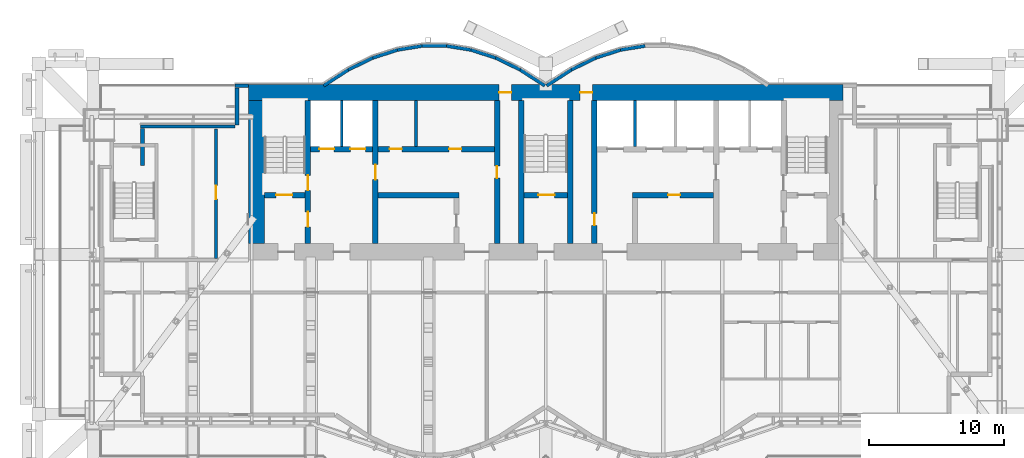
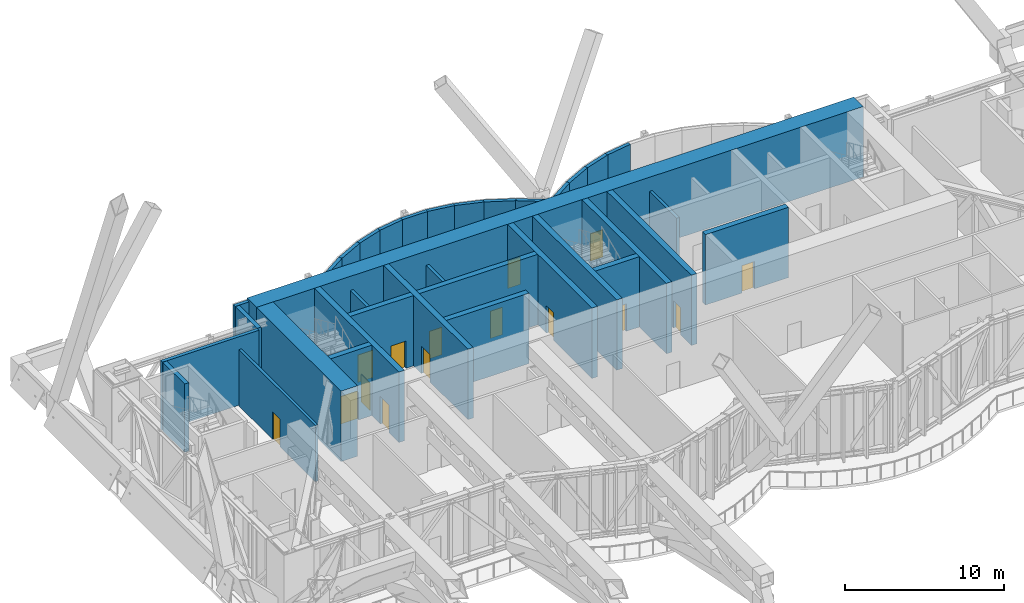
# One storey, part 25 of 30: 34 walls, 15 doors, 15 openings.
"""IFC4 building model written with IfcOpenShell, lengths in metres."""

from ifc_helpers import new_model, si_unit, direction, frame, frame_2d, origin, place, context, subcontext, project, spatial, rectangle, extrude, material, layer, layer_set, layer_usage, type_object, element, fill, save


model = new_model("IFC4")

# Units and contexts
model_context = context("Model", 3, precision=1e-05, world=origin(), true_north=direction((0.0, 1.0)))
body_context = subcontext(model_context, "Body", "Model", "MODEL_VIEW")
ifc_project = project(units=[si_unit("LENGTHUNIT", "METRE"), si_unit("AREAUNIT", "SQUARE_METRE"), si_unit("VOLUMEUNIT", "CUBIC_METRE"), si_unit("PLANEANGLEUNIT", "RADIAN"), si_unit("MASSUNIT", "GRAM", prefix="KILO")], contexts=[model_context])

# Site, building, storey
site_placement = place(None, origin())
site = spatial("IfcSite", under=ifc_project, at=site_placement, CompositionType="ELEMENT")
building_placement = place(site_placement, origin())
building = spatial("IfcBuilding", under=site, at=building_placement, Name="Bicima Exchange Tower", CompositionType="ELEMENT")
storey_placement = place(building_placement, frame((0.0, 0.0, 287.60009765625)))
storey = spatial("IfcBuildingStorey", under=building, at=storey_placement, Name="L65", CompositionType="ELEMENT", Elevation=287.60009765625)

# Walls
ifc_material_1 = material(Name="Gypsum board partition")
ifc_layer_1 = layer(ifc_material_1, 0.199951171875)
ifc_layer_set_1 = layer_set([ifc_layer_1], Name="Gypsum board partition")
wall_type_1 = type_object("IfcWallType", Name="Fire-rated gypsum partition 200 EI120", PredefinedType="PARTITIONING", material=ifc_layer_set_1)
for number, where, z_axis, x_axis, name in (
    (1, (-15.10009765625, -4.60009765625, 0.0), (0.0, 0.0, 1.0), (0.0, 1.0, 0.0), "partition wall 9"),
    (2, (6.60009765625, -4.60009765625, 0.0), (0.0, 0.0, 1.0), (0.0, 1.0, 0.0), "partition wall 18"),
):
    element("IfcWall", number, at=place(storey_placement, frame(where, z_axis=z_axis, x_axis=x_axis)), inside=storey, type_object=wall_type_1, Name=name, PredefinedType="PARTITIONING", context=body_context, shape_type="SweptSolid", body=[
        extrude(rectangle(XDim=3.400146484375, YDim=0.199951171875, at=frame_2d((1.7001953125, 0.0))), origin(), (0.0, 0.0, 1.0), 4.318115234375),
    ])

# Wall, opening, door
ifc_layer_2 = layer(ifc_material_1, 0.199951171875)
ifc_layer_set_2 = layer_set([ifc_layer_2], Name="Gypsum board partition")
wall_type_2 = type_object("IfcWallType", Name="Fire-rated gypsum partition 200 EI60", PredefinedType="PARTITIONING", material=ifc_layer_set_2)
wall_1_placement = place(storey_placement, frame((-24.39990234375, -12.89990234375, 0.0), z_axis=(0.0, 0.0, 1.0), x_axis=(0.0, 1.0, 0.0)))
wall_1 = element("IfcWall", 3, at=wall_1_placement, inside=storey, type_object=wall_type_2, Name="partition wall 15", PredefinedType="PARTITIONING", context=body_context, shape_type="SweptSolid", body=[
    extrude(rectangle(XDim=9.599853515625, YDim=0.199951171875, at=frame_2d((4.7998046875, 0.0))), origin(), (0.0, 0.0, 1.0), 4.318115234375),
])
opening_1_placement = place(wall_1_placement, frame((4.39990234375, 0.0, 0.0)))
opening_1 = element("IfcOpeningElement", 4, at=opening_1_placement, cuts=wall_1, Name="Opening L65-005", PredefinedType="OPENING", context=body_context, shape_type="SweptSolid", body=[
    extrude(rectangle(XDim=1.0, YDim=2.10009765625, at=frame_2d((0.5, 1.050048828125))), frame((0.0, 0.11181640625, 0.0), z_axis=(0.0, -1.0, 0.0), x_axis=(1.0, 0.0, 0.0)), (0.0, 0.0, 1.0), 0.223876953125),
])
ifc_material_2 = material(Name="Steel fire door leaf", Category="steel")
door_type_1 = type_object("IfcDoorType", Name="Door 1000 swing FD30S", OperationType="SINGLE_SWING_LEFT", PredefinedType="DOOR", material=ifc_material_2)
door_1_placement = place(opening_1_placement, origin())
door_1 = element("IfcDoor", 5, at=door_1_placement, inside=storey, type_object=door_type_1, Name="Door", OperationType="SINGLE_SWING_LEFT", OverallHeight=2.10009765625, OverallWidth=1.0, PredefinedType="DOOR", context=body_context, shape_type="SweptSolid", body=[
    extrude(rectangle(XDim=1.0, YDim=2.10009765625, at=frame_2d((0.5, 1.050048828125))), frame((0.0, 0.02490234375, 0.0), z_axis=(0.0, -1.0, 0.0), x_axis=(1.0, 0.0, 0.0)), (0.0, 0.0, 1.0), 0.050048828125),
])
fill(opening_1, door_1)

# Wall
wall_2_placement = place(storey_placement, frame((-9.60009765625, -4.60009765625, 0.0), z_axis=(0.0, 0.0, 1.0), x_axis=(0.0, 1.0, 0.0)))
element("IfcWall", 6, at=wall_2_placement, inside=storey, type_object=wall_type_2, Name="partition wall 11", PredefinedType="PARTITIONING", context=body_context, shape_type="SweptSolid", body=[
    extrude(rectangle(XDim=3.400146484375, YDim=0.199951171875, at=frame_2d((1.7001953125, 0.0))), origin(), (0.0, 0.0, 1.0), 4.318115234375),
])

# Wall, openings, doors
ifc_material_3 = material(Name="Concrete C40/50", Category="concrete")
ifc_layer_3 = layer(ifc_material_3, 1.199951171875)
ifc_layer_set_3 = layer_set([ifc_layer_3], Name="Concrete C40/50")
wall_type_3 = type_object("IfcWallType", Name="RC core wall 1200 C40/50", PredefinedType="SHEAR", material=ifc_layer_set_3)
wall_3_placement = place(storey_placement, frame((-22.0, -0.60009765625, 0.0), z_axis=(0.0, 0.0, 1.0), x_axis=(1.0, 0.0, 0.0)))
wall_3 = element("IfcWall", 7, at=wall_3_placement, inside=storey, type_object=wall_type_3, Name="Core wall north", PredefinedType="SHEAR", context=body_context, shape_type="SweptSolid", body=[
    extrude(rectangle(XDim=44.0, YDim=1.199951171875, at=frame_2d((22.0, 0.0))), origin(), (0.0, 0.0, 1.0), 5.39990234375),
])
opening_2_placement = place(wall_3_placement, frame((18.550048828125, 0.0, 0.0)))
opening_2 = element("IfcOpeningElement", 8, at=opening_2_placement, cuts=wall_3, Name="Opening L65-C16", PredefinedType="OPENING", context=body_context, shape_type="SweptSolid", body=[
    extrude(rectangle(XDim=0.89990234375, YDim=2.10009765625, at=frame_2d((0.449951171875, 1.050048828125))), frame((0.0, 0.61181640625, 0.0), z_axis=(0.0, -1.0, 0.0), x_axis=(1.0, 0.0, 0.0)), (0.0, 0.0, 1.0), 1.223876953125),
])
opening_3_placement = place(wall_3_placement, frame((24.550048828125, 0.0, 0.0)))
opening_3 = element("IfcOpeningElement", 9, at=opening_3_placement, cuts=wall_3, Name="Opening L65-C17", PredefinedType="OPENING", context=body_context, shape_type="SweptSolid", body=[
    extrude(rectangle(XDim=0.89990234375, YDim=2.10009765625, at=frame_2d((0.449951171875, 1.050048828125))), frame((0.0, 0.61181640625, 0.0), z_axis=(0.0, -1.0, 0.0), x_axis=(1.0, 0.0, 0.0)), (0.0, 0.0, 1.0), 1.223876953125),
])
door_type_2 = type_object("IfcDoorType", Name="Door 900 swing FD30S", OperationType="SINGLE_SWING_LEFT", PredefinedType="DOOR", material=ifc_material_2)
door_2_placement = place(opening_2_placement, origin())
door_2 = element("IfcDoor", 10, at=door_2_placement, inside=storey, type_object=door_type_2, Name="Core door", OperationType="SINGLE_SWING_LEFT", OverallHeight=2.10009765625, OverallWidth=0.89990234375, PredefinedType="DOOR", context=body_context, shape_type="SweptSolid", body=[
    extrude(rectangle(XDim=0.89990234375, YDim=2.10009765625, at=frame_2d((0.449951171875, 1.050048828125))), frame((0.0, 0.02490234375, 0.0), z_axis=(0.0, -1.0, 0.0), x_axis=(1.0, 0.0, 0.0)), (0.0, 0.0, 1.0), 0.050048828125),
])
fill(opening_2, door_2)
door_3_placement = place(opening_3_placement, origin())
door_3 = element("IfcDoor", 11, at=door_3_placement, inside=storey, type_object=door_type_2, Name="Core door", OperationType="SINGLE_SWING_LEFT", OverallHeight=2.10009765625, OverallWidth=0.89990234375, PredefinedType="DOOR", context=body_context, shape_type="SweptSolid", body=[
    extrude(rectangle(XDim=0.89990234375, YDim=2.10009765625, at=frame_2d((0.449951171875, 1.050048828125))), frame((0.0, 0.02490234375, 0.0), z_axis=(0.0, -1.0, 0.0), x_axis=(1.0, 0.0, 0.0)), (0.0, 0.0, 1.0), 0.050048828125),
])
fill(opening_3, door_3)

# Walls
wall_4_placement = place(storey_placement, frame((-21.39990234375, -11.800048828125, 0.0), z_axis=(0.0, 0.0, 1.0), x_axis=(0.0, 1.0, 0.0)))
element("IfcWall", 12, at=wall_4_placement, inside=storey, type_object=wall_type_3, Name="Core wall west", PredefinedType="SHEAR", context=body_context, shape_type="SweptSolid", body=[
    extrude(rectangle(XDim=10.60009765625, YDim=1.199951171875, at=frame_2d((5.300048828125, 0.0))), origin(), (0.0, 0.0, 1.0), 5.39990234375),
])
ifc_layer_4 = layer(ifc_material_3, 0.39990234375)
ifc_layer_set_4 = layer_set([ifc_layer_4], Name="Concrete C40/50")
wall_type_4 = type_object("IfcWallType", Name="RC core wall 400 C40/50", PredefinedType="SHEAR", material=ifc_layer_set_4)
wall_5_placement = place(storey_placement, frame((-12.39990234375, -8.199951171875, 0.0), z_axis=(0.0, 0.0, 1.0), x_axis=(1.0, 0.0, 0.0)))
element("IfcWall", 13, at=wall_5_placement, inside=storey, type_object=wall_type_4, Name="shear wall 2", PredefinedType="SHEAR", context=body_context, shape_type="SweptSolid", body=[
    extrude(rectangle(XDim=6.0, YDim=0.39990234375, at=frame_2d((3.0, 0.0))), origin(), (0.0, 0.0, 1.0), 5.39990234375),
])

# Wall, opening, door
wall_6_placement = place(storey_placement, frame((6.39990234375, -8.199951171875, 0.0), z_axis=(0.0, 0.0, 1.0), x_axis=(1.0, 0.0, 0.0)))
wall_6 = element("IfcWall", 14, at=wall_6_placement, inside=storey, type_object=wall_type_4, Name="shear wall 4", PredefinedType="SHEAR", context=body_context, shape_type="SweptSolid", body=[
    extrude(rectangle(XDim=6.0, YDim=0.39990234375, at=frame_2d((3.0, 0.0))), origin(), (0.0, 0.0, 1.0), 5.39990234375),
])
opening_4_placement = place(wall_6_placement, frame((2.64990234375, 0.0, 0.0)))
opening_4 = element("IfcOpeningElement", 15, at=opening_4_placement, cuts=wall_6, Name="Opening L65-C15", PredefinedType="OPENING", context=body_context, shape_type="SweptSolid", body=[
    extrude(rectangle(XDim=0.89990234375, YDim=2.10009765625, at=frame_2d((0.449951171875, 1.050048828125))), frame((0.0, 0.2119140625, 0.0), z_axis=(0.0, -1.0, 0.0), x_axis=(1.0, 0.0, 0.0)), (0.0, 0.0, 1.0), 0.423828125),
])
door_4_placement = place(opening_4_placement, frame((0.89990234375, 0.0, 0.0), z_axis=(0.0, 0.0, 1.0), x_axis=(-1.0, 0.0, 0.0)))
door_4 = element("IfcDoor", 16, at=door_4_placement, inside=storey, type_object=door_type_2, Name="Core door", OperationType="SINGLE_SWING_RIGHT", OverallHeight=2.10009765625, OverallWidth=0.89990234375, PredefinedType="DOOR", context=body_context, shape_type="SweptSolid", body=[
    extrude(rectangle(XDim=0.89990234375, YDim=2.10009765625, at=frame_2d((0.449951171875, 1.050048828125))), frame((0.0, 0.02490234375, 0.0), z_axis=(0.0, -1.0, 0.0), x_axis=(1.0, 0.0, 0.0)), (0.0, 0.0, 1.0), 0.050048828125),
])
fill(opening_4, door_4)

# Wall, openings, doors
wall_7_placement = place(storey_placement, frame((-17.39990234375, -4.800048828125, 0.0), z_axis=(0.0, 0.0, 1.0), x_axis=(1.0, 0.0, 0.0)))
wall_7 = element("IfcWall", 17, at=wall_7_placement, inside=storey, type_object=wall_type_4, Name="shear wall 6", PredefinedType="SHEAR", context=body_context, shape_type="SweptSolid", body=[
    extrude(rectangle(XDim=13.599853515625, YDim=0.39990234375, at=frame_2d((6.7998046875, 0.0))), origin(), (0.0, 0.0, 1.0), 5.39990234375),
])
opening_5_placement = place(wall_7_placement, frame((0.64990234375, 0.0, 0.0)))
opening_5 = element("IfcOpeningElement", 18, at=opening_5_placement, cuts=wall_7, Name="Opening LD-FF1-L65", PredefinedType="OPENING", context=body_context, shape_type="SweptSolid", body=[
    extrude(rectangle(XDim=1.10009765625, YDim=2.10009765625, at=frame_2d((0.550048828125, 1.050048828125))), frame((0.0, 0.2119140625, 0.0), z_axis=(0.0, -1.0, 0.0), x_axis=(1.0, 0.0, 0.0)), (0.0, 0.0, 1.0), 0.423828125),
])
opening_6_placement = place(wall_7_placement, frame((2.949951171875, 0.0, 0.0)))
opening_6 = element("IfcOpeningElement", 19, at=opening_6_placement, cuts=wall_7, Name="Opening LD-FF3-L65", PredefinedType="OPENING", context=body_context, shape_type="SweptSolid", body=[
    extrude(rectangle(XDim=1.10009765625, YDim=2.10009765625, at=frame_2d((0.550048828125, 1.050048828125))), frame((0.0, 0.2119140625, 0.0), z_axis=(0.0, -1.0, 0.0), x_axis=(1.0, 0.0, 0.0)), (0.0, 0.0, 1.0), 0.423828125),
])
opening_7_placement = place(wall_7_placement, frame((5.85009765625, 0.0, 0.0)))
opening_7 = element("IfcOpeningElement", 20, at=opening_7_placement, cuts=wall_7, Name="Opening L65-C12", PredefinedType="OPENING", context=body_context, shape_type="SweptSolid", body=[
    extrude(rectangle(XDim=0.89990234375, YDim=2.10009765625, at=frame_2d((0.449951171875, 1.050048828125))), frame((0.0, 0.2119140625, 0.0), z_axis=(0.0, -1.0, 0.0), x_axis=(1.0, 0.0, 0.0)), (0.0, 0.0, 1.0), 0.423828125),
])
opening_8_placement = place(wall_7_placement, frame((10.25, 0.0, 0.0)))
opening_8 = element("IfcOpeningElement", 21, at=opening_8_placement, cuts=wall_7, Name="Opening L65-C13", PredefinedType="OPENING", context=body_context, shape_type="SweptSolid", body=[
    extrude(rectangle(XDim=0.89990234375, YDim=2.10009765625, at=frame_2d((0.449951171875, 1.050048828125))), frame((0.0, 0.2119140625, 0.0), z_axis=(0.0, -1.0, 0.0), x_axis=(1.0, 0.0, 0.0)), (0.0, 0.0, 1.0), 0.423828125),
])
door_5_placement = place(opening_7_placement, origin())
door_5 = element("IfcDoor", 22, at=door_5_placement, inside=storey, type_object=door_type_2, Name="Core door", OperationType="SINGLE_SWING_RIGHT", OverallHeight=2.10009765625, OverallWidth=0.89990234375, PredefinedType="DOOR", context=body_context, shape_type="SweptSolid", body=[
    extrude(rectangle(XDim=0.89990234375, YDim=2.10009765625, at=frame_2d((0.449951171875, 1.050048828125))), frame((0.0, 0.02490234375, 0.0), z_axis=(0.0, -1.0, 0.0), x_axis=(1.0, 0.0, 0.0)), (0.0, 0.0, 1.0), 0.050048828125),
])
fill(opening_7, door_5)
door_6_placement = place(opening_8_placement, origin())
door_6 = element("IfcDoor", 23, at=door_6_placement, inside=storey, type_object=door_type_2, Name="Core door", OperationType="SINGLE_SWING_LEFT", OverallHeight=2.10009765625, OverallWidth=0.89990234375, PredefinedType="DOOR", context=body_context, shape_type="SweptSolid", body=[
    extrude(rectangle(XDim=0.89990234375, YDim=2.10009765625, at=frame_2d((0.449951171875, 1.050048828125))), frame((0.0, 0.02490234375, 0.0), z_axis=(0.0, -1.0, 0.0), x_axis=(1.0, 0.0, 0.0)), (0.0, 0.0, 1.0), 0.050048828125),
])
fill(opening_8, door_6)
ifc_material_4 = material(Name="Stainless steel", Category="steel")
door_type_3 = type_object("IfcDoorType", Name="Lift landing door 1100 sliding", OperationType="DOUBLE_DOOR_SLIDING", PredefinedType="DOOR", material=ifc_material_4)
door_7_placement = place(opening_5_placement, origin())
door_7 = element("IfcDoor", 24, at=door_7_placement, inside=storey, type_object=door_type_3, Name="Lift landing door FF1", OperationType="DOUBLE_DOOR_SLIDING", OverallHeight=2.10009765625, OverallWidth=1.10009765625, PredefinedType="DOOR", context=body_context, shape_type="SweptSolid", body=[
    extrude(rectangle(XDim=1.10009765625, YDim=2.10009765625, at=frame_2d((0.550048828125, 1.050048828125))), frame((0.0, 0.02490234375, 0.0), z_axis=(0.0, -1.0, 0.0), x_axis=(1.0, 0.0, 0.0)), (0.0, 0.0, 1.0), 0.050048828125),
])
fill(opening_5, door_7)
door_8_placement = place(opening_6_placement, origin())
door_8 = element("IfcDoor", 25, at=door_8_placement, inside=storey, type_object=door_type_3, Name="Lift landing door FF3", OperationType="DOUBLE_DOOR_SLIDING", OverallHeight=2.10009765625, OverallWidth=1.10009765625, PredefinedType="DOOR", context=body_context, shape_type="SweptSolid", body=[
    extrude(rectangle(XDim=1.10009765625, YDim=2.10009765625, at=frame_2d((0.550048828125, 1.050048828125))), frame((0.0, 0.02490234375, 0.0), z_axis=(0.0, -1.0, 0.0), x_axis=(1.0, 0.0, 0.0)), (0.0, 0.0, 1.0), 0.050048828125),
])
fill(opening_6, door_8)

# Wall, opening, door
wall_8_placement = place(storey_placement, frame((-12.60009765625, -11.800048828125, 0.0), z_axis=(0.0, 0.0, 1.0), x_axis=(0.0, 1.0, 0.0)))
wall_8 = element("IfcWall", 26, at=wall_8_placement, inside=storey, type_object=wall_type_4, Name="shear wall 10", PredefinedType="SHEAR", context=body_context, shape_type="SweptSolid", body=[
    extrude(rectangle(XDim=10.60009765625, YDim=0.39990234375, at=frame_2d((5.300048828125, 0.0))), origin(), (0.0, 0.0, 1.0), 5.39990234375),
])
opening_9_placement = place(wall_8_placement, frame((4.75, 0.0, 0.0)))
opening_9 = element("IfcOpeningElement", 27, at=opening_9_placement, cuts=wall_8, Name="Opening L65-C07", PredefinedType="OPENING", context=body_context, shape_type="SweptSolid", body=[
    extrude(rectangle(XDim=1.10009765625, YDim=2.10009765625, at=frame_2d((0.550048828125, 1.050048828125))), frame((0.0, 0.2119140625, 0.0), z_axis=(0.0, -1.0, 0.0), x_axis=(1.0, 0.0, 0.0)), (0.0, 0.0, 1.0), 0.423828125),
])
door_type_4 = type_object("IfcDoorType", Name="Door 1100 swing FD60S", OperationType="SINGLE_SWING_LEFT", PredefinedType="DOOR", material=ifc_material_2)
door_9_placement = place(opening_9_placement, origin())
door_9 = element("IfcDoor", 28, at=door_9_placement, inside=storey, type_object=door_type_4, Name="Core door", OperationType="SINGLE_SWING_LEFT", OverallHeight=2.10009765625, OverallWidth=1.10009765625, PredefinedType="DOOR", context=body_context, shape_type="SweptSolid", body=[
    extrude(rectangle(XDim=1.10009765625, YDim=2.10009765625, at=frame_2d((0.550048828125, 1.050048828125))), frame((0.0, 0.02490234375, 0.0), z_axis=(0.0, -1.0, 0.0), x_axis=(1.0, 0.0, 0.0)), (0.0, 0.0, 1.0), 0.050048828125),
])
fill(opening_9, door_9)

wall_9_placement = place(storey_placement, frame((-3.60009765625, -11.800048828125, 0.0), z_axis=(0.0, 0.0, 1.0), x_axis=(0.0, 1.0, 0.0)))
wall_9 = element("IfcWall", 29, at=wall_9_placement, inside=storey, type_object=wall_type_4, Name="shear wall 13", PredefinedType="SHEAR", context=body_context, shape_type="SweptSolid", body=[
    extrude(rectangle(XDim=10.60009765625, YDim=0.39990234375, at=frame_2d((5.300048828125, 0.0))), origin(), (0.0, 0.0, 1.0), 5.39990234375),
])
opening_10_placement = place(wall_9_placement, frame((4.85009765625, 0.0, 0.0)))
opening_10 = element("IfcOpeningElement", 30, at=opening_10_placement, cuts=wall_9, Name="Opening L65-C10", PredefinedType="OPENING", context=body_context, shape_type="SweptSolid", body=[
    extrude(rectangle(XDim=0.89990234375, YDim=2.10009765625, at=frame_2d((0.449951171875, 1.050048828125))), frame((0.0, 0.2119140625, 0.0), z_axis=(0.0, -1.0, 0.0), x_axis=(1.0, 0.0, 0.0)), (0.0, 0.0, 1.0), 0.423828125),
])
door_10_placement = place(opening_10_placement, frame((0.89990234375, 0.0, 0.0), z_axis=(0.0, 0.0, 1.0), x_axis=(-1.0, 0.0, 0.0)))
door_10 = element("IfcDoor", 31, at=door_10_placement, inside=storey, type_object=door_type_2, Name="Core door", OperationType="SINGLE_SWING_LEFT", OverallHeight=2.10009765625, OverallWidth=0.89990234375, PredefinedType="DOOR", context=body_context, shape_type="SweptSolid", body=[
    extrude(rectangle(XDim=0.89990234375, YDim=2.10009765625, at=frame_2d((0.449951171875, 1.050048828125))), frame((0.0, 0.02490234375, 0.0), z_axis=(0.0, -1.0, 0.0), x_axis=(1.0, 0.0, 0.0)), (0.0, 0.0, 1.0), 0.050048828125),
])
fill(opening_10, door_10)

wall_10_placement = place(storey_placement, frame((3.60009765625, -11.800048828125, 0.0), z_axis=(0.0, 0.0, 1.0), x_axis=(0.0, 1.0, 0.0)))
wall_10 = element("IfcWall", 32, at=wall_10_placement, inside=storey, type_object=wall_type_4, Name="shear wall 16", PredefinedType="SHEAR", context=body_context, shape_type="SweptSolid", body=[
    extrude(rectangle(XDim=10.60009765625, YDim=0.39990234375, at=frame_2d((5.300048828125, 0.0))), origin(), (0.0, 0.0, 1.0), 5.39990234375),
])
opening_11_placement = place(wall_10_placement, frame((1.35009765625, 0.0, 0.0)))
opening_11 = element("IfcOpeningElement", 33, at=opening_11_placement, cuts=wall_10, Name="Opening L65-C11", PredefinedType="OPENING", context=body_context, shape_type="SweptSolid", body=[
    extrude(rectangle(XDim=0.89990234375, YDim=2.10009765625, at=frame_2d((0.449951171875, 1.050048828125))), frame((0.0, 0.2119140625, 0.0), z_axis=(0.0, -1.0, 0.0), x_axis=(1.0, 0.0, 0.0)), (0.0, 0.0, 1.0), 0.423828125),
])
door_11_placement = place(opening_11_placement, origin())
door_11 = element("IfcDoor", 34, at=door_11_placement, inside=storey, type_object=door_type_2, Name="Core door", OperationType="SINGLE_SWING_LEFT", OverallHeight=2.10009765625, OverallWidth=0.89990234375, PredefinedType="DOOR", context=body_context, shape_type="SweptSolid", body=[
    extrude(rectangle(XDim=0.89990234375, YDim=2.10009765625, at=frame_2d((0.449951171875, 1.050048828125))), frame((0.0, 0.02490234375, 0.0), z_axis=(0.0, -1.0, 0.0), x_axis=(1.0, 0.0, 0.0)), (0.0, 0.0, 1.0), 0.050048828125),
])
fill(opening_11, door_11)

ifc_material_5 = material(Name="Concrete C50/60", Category="concrete")
ifc_layer_5 = layer(ifc_material_5, 0.39990234375)
ifc_layer_set_5 = layer_set([ifc_layer_5], Name="Concrete C50/60")
wall_type_5 = type_object("IfcWallType", Name="RC core wall 400 C50/60", PredefinedType="SHEAR", material=ifc_layer_set_5)
wall_11_placement = place(storey_placement, frame((-20.800048828125, -8.199951171875, 0.0), z_axis=(0.0, 0.0, 1.0), x_axis=(1.0, 0.0, 0.0)))
wall_11 = element("IfcWall", 35, at=wall_11_placement, inside=storey, type_object=wall_type_5, Name="stair wall 1", PredefinedType="SHEAR", context=body_context, shape_type="SweptSolid", body=[
    extrude(rectangle(XDim=3.0, YDim=0.39990234375, at=frame_2d((1.5, 0.0))), origin(), (0.0, 0.0, 1.0), 5.39990234375),
])
opening_12_placement = place(wall_11_placement, frame((0.85009765625, 0.0, 0.0)))
opening_12 = element("IfcOpeningElement", 36, at=opening_12_placement, cuts=wall_11, Name="Opening L65-C01", PredefinedType="OPENING", context=body_context, shape_type="SweptSolid", body=[
    extrude(rectangle(XDim=1.199951171875, YDim=2.10009765625, at=frame_2d((0.60009765625, 1.050048828125))), frame((0.0, 0.2119140625, 0.0), z_axis=(0.0, -1.0, 0.0), x_axis=(1.0, 0.0, 0.0)), (0.0, 0.0, 1.0), 0.423828125),
])
door_type_5 = type_object("IfcDoorType", Name="Door 1200 swing FD60S", OperationType="SINGLE_SWING_LEFT", PredefinedType="DOOR", material=ifc_material_2)
door_12_placement = place(opening_12_placement, origin())
door_12 = element("IfcDoor", 37, at=door_12_placement, inside=storey, type_object=door_type_5, Name="Core door", OperationType="SINGLE_SWING_LEFT", OverallHeight=2.10009765625, OverallWidth=1.199951171875, PredefinedType="DOOR", context=body_context, shape_type="SweptSolid", body=[
    extrude(rectangle(XDim=1.199951171875, YDim=2.10009765625, at=frame_2d((0.60009765625, 1.050048828125))), frame((0.0, 0.02490234375, 0.0), z_axis=(0.0, -1.0, 0.0), x_axis=(1.0, 0.0, 0.0)), (0.0, 0.0, 1.0), 0.050048828125),
])
fill(opening_12, door_12)

wall_12_placement = place(storey_placement, frame((-1.60009765625, -8.199951171875, 0.0), z_axis=(0.0, 0.0, 1.0), x_axis=(1.0, 0.0, 0.0)))
wall_12 = element("IfcWall", 38, at=wall_12_placement, inside=storey, type_object=wall_type_5, Name="stair wall 3", PredefinedType="SHEAR", context=body_context, shape_type="SweptSolid", body=[
    extrude(rectangle(XDim=3.2001953125, YDim=0.39990234375, at=frame_2d((1.60009765625, 0.0))), origin(), (0.0, 0.0, 1.0), 5.39990234375),
])
opening_13_placement = place(wall_12_placement, frame((1.050048828125, 0.0, 0.0)))
opening_13 = element("IfcOpeningElement", 39, at=opening_13_placement, cuts=wall_12, Name="Opening L65-C03", PredefinedType="OPENING", context=body_context, shape_type="SweptSolid", body=[
    extrude(rectangle(XDim=1.199951171875, YDim=2.10009765625, at=frame_2d((0.60009765625, 1.050048828125))), frame((0.0, 0.2119140625, 0.0), z_axis=(0.0, -1.0, 0.0), x_axis=(1.0, 0.0, 0.0)), (0.0, 0.0, 1.0), 0.423828125),
])
door_13_placement = place(opening_13_placement, origin())
door_13 = element("IfcDoor", 40, at=door_13_placement, inside=storey, type_object=door_type_5, Name="Core door", OperationType="SINGLE_SWING_LEFT", OverallHeight=2.10009765625, OverallWidth=1.199951171875, PredefinedType="DOOR", context=body_context, shape_type="SweptSolid", body=[
    extrude(rectangle(XDim=1.199951171875, YDim=2.10009765625, at=frame_2d((0.60009765625, 1.050048828125))), frame((0.0, 0.02490234375, 0.0), z_axis=(0.0, -1.0, 0.0), x_axis=(1.0, 0.0, 0.0)), (0.0, 0.0, 1.0), 0.050048828125),
])
fill(opening_13, door_13)

# Wall, openings, doors
wall_13_placement = place(storey_placement, frame((-17.60009765625, -11.800048828125, 0.0), z_axis=(0.0, 0.0, 1.0), x_axis=(0.0, 1.0, 0.0)))
wall_13 = element("IfcWall", 41, at=wall_13_placement, inside=storey, type_object=wall_type_5, Name="stair wall 8", PredefinedType="SHEAR", context=body_context, shape_type="SweptSolid", body=[
    extrude(rectangle(XDim=10.60009765625, YDim=0.39990234375, at=frame_2d((5.300048828125, 0.0))), origin(), (0.0, 0.0, 1.0), 5.39990234375),
])
opening_14_placement = place(wall_13_placement, frame((1.25, 0.0, 0.0)))
opening_14 = element("IfcOpeningElement", 42, at=opening_14_placement, cuts=wall_13, Name="Opening L65-C02", PredefinedType="OPENING", context=body_context, shape_type="SweptSolid", body=[
    extrude(rectangle(XDim=1.10009765625, YDim=2.10009765625, at=frame_2d((0.550048828125, 1.050048828125))), frame((0.0, 0.2119140625, 0.0), z_axis=(0.0, -1.0, 0.0), x_axis=(1.0, 0.0, 0.0)), (0.0, 0.0, 1.0), 0.423828125),
])
opening_15_placement = place(wall_13_placement, frame((3.949951171875, 0.0, 0.0)))
opening_15 = element("IfcOpeningElement", 43, at=opening_15_placement, cuts=wall_13, Name="Opening L65-C06", PredefinedType="OPENING", context=body_context, shape_type="SweptSolid", body=[
    extrude(rectangle(XDim=1.10009765625, YDim=2.10009765625, at=frame_2d((0.550048828125, 1.050048828125))), frame((0.0, 0.2119140625, 0.0), z_axis=(0.0, -1.0, 0.0), x_axis=(1.0, 0.0, 0.0)), (0.0, 0.0, 1.0), 0.423828125),
])
door_14_placement = place(opening_14_placement, frame((1.10009765625, 0.0, 0.0), z_axis=(0.0, 0.0, 1.0), x_axis=(-1.0, 0.0, 0.0)))
door_14 = element("IfcDoor", 44, at=door_14_placement, inside=storey, type_object=door_type_4, Name="Core door", OperationType="SINGLE_SWING_LEFT", OverallHeight=2.10009765625, OverallWidth=1.10009765625, PredefinedType="DOOR", context=body_context, shape_type="SweptSolid", body=[
    extrude(rectangle(XDim=1.10009765625, YDim=2.10009765625, at=frame_2d((0.550048828125, 1.050048828125))), frame((0.0, 0.02490234375, 0.0), z_axis=(0.0, -1.0, 0.0), x_axis=(1.0, 0.0, 0.0)), (0.0, 0.0, 1.0), 0.050048828125),
])
fill(opening_14, door_14)
door_15_placement = place(opening_15_placement, frame((1.10009765625, 0.0, 0.0), z_axis=(0.0, 0.0, 1.0), x_axis=(-1.0, 0.0, 0.0)))
door_15 = element("IfcDoor", 45, at=door_15_placement, inside=storey, type_object=door_type_4, Name="Core door", OperationType="SINGLE_SWING_LEFT", OverallHeight=2.10009765625, OverallWidth=1.10009765625, PredefinedType="DOOR", context=body_context, shape_type="SweptSolid", body=[
    extrude(rectangle(XDim=1.10009765625, YDim=2.10009765625, at=frame_2d((0.550048828125, 1.050048828125))), frame((0.0, 0.02490234375, 0.0), z_axis=(0.0, -1.0, 0.0), x_axis=(1.0, 0.0, 0.0)), (0.0, 0.0, 1.0), 0.050048828125),
])
fill(opening_15, door_15)

# Walls
for number, where, z_axis, x_axis, name in (
    (46, (-1.800048828125, -11.800048828125, 0.0), (0.0, 0.0, 1.0), (0.0, 1.0, 0.0), "stair wall 14"),
    (47, (1.800048828125, -11.800048828125, 0.0), (0.0, 0.0, 1.0), (0.0, 1.0, 0.0), "stair wall 15"),
):
    element("IfcWall", number, at=place(storey_placement, frame(where, z_axis=z_axis, x_axis=x_axis)), inside=storey, type_object=wall_type_5, Name=name, PredefinedType="SHEAR", context=body_context, shape_type="SweptSolid", body=[
        extrude(rectangle(XDim=10.60009765625, YDim=0.39990234375, at=frame_2d((5.300048828125, 0.0))), origin(), (0.0, 0.0, 1.0), 5.39990234375),
    ])
ifc_layer_6 = layer(ifc_material_3, 0.25)
ifc_layer_set_6 = layer_set([ifc_layer_6], Name="Concrete C40/50")
ifc_layer_usage_1 = layer_usage(ifc_layer_set_6, "AXIS2", "POSITIVE", -0.125)
wall_type_6 = type_object("IfcWallType", Name="Rear backup wall 250", PredefinedType="STANDARD", material=ifc_layer_set_6)
wall_14_placement = place(storey_placement, frame((7.353271484375, 2.839599609375, 0.0), z_axis=(0.0, 0.0, 1.0), x_axis=(-0.987181718931, -0.159600293885, 0.0)))
element("IfcWall", 48, at=wall_14_placement, inside=storey, type_object=wall_type_6, material=ifc_layer_usage_1, Name="Rear backup wall L65 13", PredefinedType="STANDARD", context=body_context, shape_type="SweptSolid", body=[
    extrude(rectangle(XDim=1.857177734375, YDim=0.25, at=frame_2d((0.9287109375, 0.0))), origin(), (0.0, 0.0, 1.0), 5.25),
])
wall_15_placement = place(storey_placement, frame((5.538330078125, 2.5478515625, 0.0), z_axis=(0.0, 0.0, 1.0), x_axis=(-0.951495806175, -0.307661714928, 0.0)))
element("IfcWall", 49, at=wall_15_placement, inside=storey, type_object=wall_type_6, material=ifc_layer_usage_1, Name="Rear backup wall L65 14", PredefinedType="STANDARD", context=body_context, shape_type="SweptSolid", body=[
    extrude(rectangle(XDim=1.9267578125, YDim=0.25, at=frame_2d((0.96337890625, 0.0))), origin(), (0.0, 0.0, 1.0), 5.25),
])
wall_16_placement = place(storey_placement, frame((3.72119140625, 1.961669921875, 0.0), z_axis=(0.0, 0.0, 1.0), x_axis=(-0.89982408427, -0.436252928206, 0.0)))
element("IfcWall", 50, at=wall_16_placement, inside=storey, type_object=wall_type_6, material=ifc_layer_usage_1, Name="Rear backup wall L65 15", PredefinedType="STANDARD", context=body_context, shape_type="SweptSolid", body=[
    extrude(rectangle(XDim=2.03759765625, YDim=0.25, at=frame_2d((1.018798828125, 0.0))), origin(), (0.0, 0.0, 1.0), 5.25),
])
for number, where, z_axis, x_axis, name in (
    (51, (1.901123046875, 1.080078125, 0.0), (0.0, 0.0, 1.0), (-0.83981312244, -0.542875602121, 0.0), "Rear backup wall L65 16"),
    (52, (-0.06787109375, -0.10498046875, 0.0), (0.0, 0.0, 1.0), (-0.83981312244, 0.542875602121, 0.0), "Rear backup wall L65 17"),
):
    element("IfcWall", number, at=place(storey_placement, frame(where, z_axis=z_axis, x_axis=x_axis)), inside=storey, type_object=wall_type_6, material=ifc_layer_usage_1, Name=name, PredefinedType="STANDARD", context=body_context, shape_type="SweptSolid", body=[
        extrude(rectangle(XDim=2.182861328125, YDim=0.25, at=frame_2d((1.09130859375, 0.0))), origin(), (0.0, 0.0, 1.0), 5.25),
    ])
wall_17_placement = place(storey_placement, frame((-1.8876953125, 1.07275390625, 0.0), z_axis=(0.0, 0.0, 1.0), x_axis=(-0.89982408427, 0.436252928206, 0.0)))
element("IfcWall", 53, at=wall_17_placement, inside=storey, type_object=wall_type_6, material=ifc_layer_usage_1, Name="Rear backup wall L65 18", PredefinedType="STANDARD", context=body_context, shape_type="SweptSolid", body=[
    extrude(rectangle(XDim=2.03759765625, YDim=0.25, at=frame_2d((1.018798828125, 0.0))), origin(), (0.0, 0.0, 1.0), 5.25),
])
wall_18_placement = place(storey_placement, frame((-3.705078125, 1.955078125, 0.0), z_axis=(0.0, 0.0, 1.0), x_axis=(-0.951495806175, 0.307661714928, 0.0)))
element("IfcWall", 54, at=wall_18_placement, inside=storey, type_object=wall_type_6, material=ifc_layer_usage_1, Name="Rear backup wall L65 19", PredefinedType="STANDARD", context=body_context, shape_type="SweptSolid", body=[
    extrude(rectangle(XDim=1.9267578125, YDim=0.25, at=frame_2d((0.96337890625, 0.0))), origin(), (0.0, 0.0, 1.0), 5.25),
])
wall_19_placement = place(storey_placement, frame((-5.52001953125, 2.543212890625, 0.0), z_axis=(0.0, 0.0, 1.0), x_axis=(-0.987181718931, 0.159600293885, 0.0)))
element("IfcWall", 55, at=wall_19_placement, inside=storey, type_object=wall_type_6, material=ifc_layer_usage_1, Name="Rear backup wall L65 20", PredefinedType="STANDARD", context=body_context, shape_type="SweptSolid", body=[
    extrude(rectangle(XDim=1.857177734375, YDim=0.25, at=frame_2d((0.9287109375, 0.0))), origin(), (0.0, 0.0, 1.0), 5.25),
])
wall_20_placement = place(storey_placement, frame((-7.333251953125, 2.837890625, 0.0), z_axis=(0.0, 0.0, 1.0), x_axis=(-1.0, 0.0, 0.0)))
element("IfcWall", 56, at=wall_20_placement, inside=storey, type_object=wall_type_6, material=ifc_layer_usage_1, Name="Rear backup wall L65 21", PredefinedType="STANDARD", context=body_context, shape_type="SweptSolid", body=[
    extrude(rectangle(XDim=1.83349609375, YDim=0.25, at=frame_2d((0.916748046875, 0.0))), origin(), (0.0, 0.0, 1.0), 5.25),
])
wall_21_placement = place(storey_placement, frame((-9.146728515625, 2.839599609375, 0.0), z_axis=(0.0, 0.0, 1.0), x_axis=(-0.987181718931, -0.159600293885, 0.0)))
element("IfcWall", 57, at=wall_21_placement, inside=storey, type_object=wall_type_6, material=ifc_layer_usage_1, Name="Rear backup wall L65 22", PredefinedType="STANDARD", context=body_context, shape_type="SweptSolid", body=[
    extrude(rectangle(XDim=1.857177734375, YDim=0.25, at=frame_2d((0.9287109375, 0.0))), origin(), (0.0, 0.0, 1.0), 5.25),
])
wall_22_placement = place(storey_placement, frame((-10.961669921875, 2.5478515625, 0.0), z_axis=(0.0, 0.0, 1.0), x_axis=(-0.951495806175, -0.307661714928, 0.0)))
element("IfcWall", 58, at=wall_22_placement, inside=storey, type_object=wall_type_6, material=ifc_layer_usage_1, Name="Rear backup wall L65 23", PredefinedType="STANDARD", context=body_context, shape_type="SweptSolid", body=[
    extrude(rectangle(XDim=1.9267578125, YDim=0.25, at=frame_2d((0.96337890625, 0.0))), origin(), (0.0, 0.0, 1.0), 5.25),
])
wall_23_placement = place(storey_placement, frame((-12.77880859375, 1.961669921875, 0.0), z_axis=(0.0, 0.0, 1.0), x_axis=(-0.89982408427, -0.436252928206, 0.0)))
element("IfcWall", 59, at=wall_23_placement, inside=storey, type_object=wall_type_6, material=ifc_layer_usage_1, Name="Rear backup wall L65 24", PredefinedType="STANDARD", context=body_context, shape_type="SweptSolid", body=[
    extrude(rectangle(XDim=2.03759765625, YDim=0.25, at=frame_2d((1.018798828125, 0.0))), origin(), (0.0, 0.0, 1.0), 5.25),
])
wall_24_placement = place(storey_placement, frame((-14.598876953125, 1.080078125, 0.0), z_axis=(0.0, 0.0, 1.0), x_axis=(-0.83981312244, -0.542875602121, 0.0)))
element("IfcWall", 60, at=wall_24_placement, inside=storey, type_object=wall_type_6, material=ifc_layer_usage_1, Name="Rear backup wall L65 25", PredefinedType="STANDARD", context=body_context, shape_type="SweptSolid", body=[
    extrude(rectangle(XDim=2.182861328125, YDim=0.25, at=frame_2d((1.09130859375, 0.0))), origin(), (0.0, 0.0, 1.0), 5.25),
])
wall_25_placement = place(storey_placement, frame((-22.0, -0.125, 0.0), z_axis=(0.0, 0.0, 1.0), x_axis=(-1.0, 0.0, 0.0)))
element("IfcWall", 61, at=wall_25_placement, inside=storey, type_object=wall_type_6, material=ifc_layer_usage_1, Name="Rear backup wall L65 26", PredefinedType="STANDARD", context=body_context, shape_type="SweptSolid", body=[
    extrude(rectangle(XDim=1.0, YDim=0.25, at=frame_2d((0.5, 0.0))), origin(), (0.0, 0.0, 1.0), 5.25),
])
wall_26_placement = place(storey_placement, frame((-23.0, -3.125, 0.0), z_axis=(0.0, 0.0, 1.0), x_axis=(-1.0, 0.0, 0.0)))
element("IfcWall", 62, at=wall_26_placement, inside=storey, type_object=wall_type_6, material=ifc_layer_usage_1, Name="Rear backup wall L65 28", PredefinedType="STANDARD", context=body_context, shape_type="SweptSolid", body=[
    extrude(rectangle(XDim=7.0, YDim=0.25, at=frame_2d((3.5, 0.0))), origin(), (0.0, 0.0, 1.0), 5.25),
])
ifc_layer_7 = layer(ifc_material_3, 0.3)
ifc_layer_set_7 = layer_set([ifc_layer_7], Name="Concrete C40/50")
ifc_layer_usage_2 = layer_usage(ifc_layer_set_7, "AXIS2", "POSITIVE", -0.15)
wall_type_7 = type_object("IfcWallType", Name="Refuge band wall 300", PredefinedType="STANDARD", material=ifc_layer_set_7)
for number, where, z_axis, x_axis, name in (
    (63, (-22.85009765625, -0.27587890625, 0.0), (0.0, 0.0, 1.0), (0.0, -1.0, 0.0), "Refuge band wall L65"),
    (64, (-29.85009765625, -3.27587890625, 0.0), (0.0, 0.0, 1.0), (0.0, -1.0, 0.0), "Refuge band wall L65"),
):
    element("IfcWall", number, at=place(storey_placement, frame(where, z_axis=z_axis, x_axis=x_axis)), inside=storey, type_object=wall_type_7, material=ifc_layer_usage_2, Name=name, PredefinedType="STANDARD", context=body_context, shape_type="SweptSolid", body=[
        extrude(rectangle(XDim=2.748291015625, YDim=0.300048828125, at=frame_2d((1.3740234375, 0.0))), origin(), (0.0, 0.0, 1.0), 5.25),
    ])

save(model, "model.ifc")
